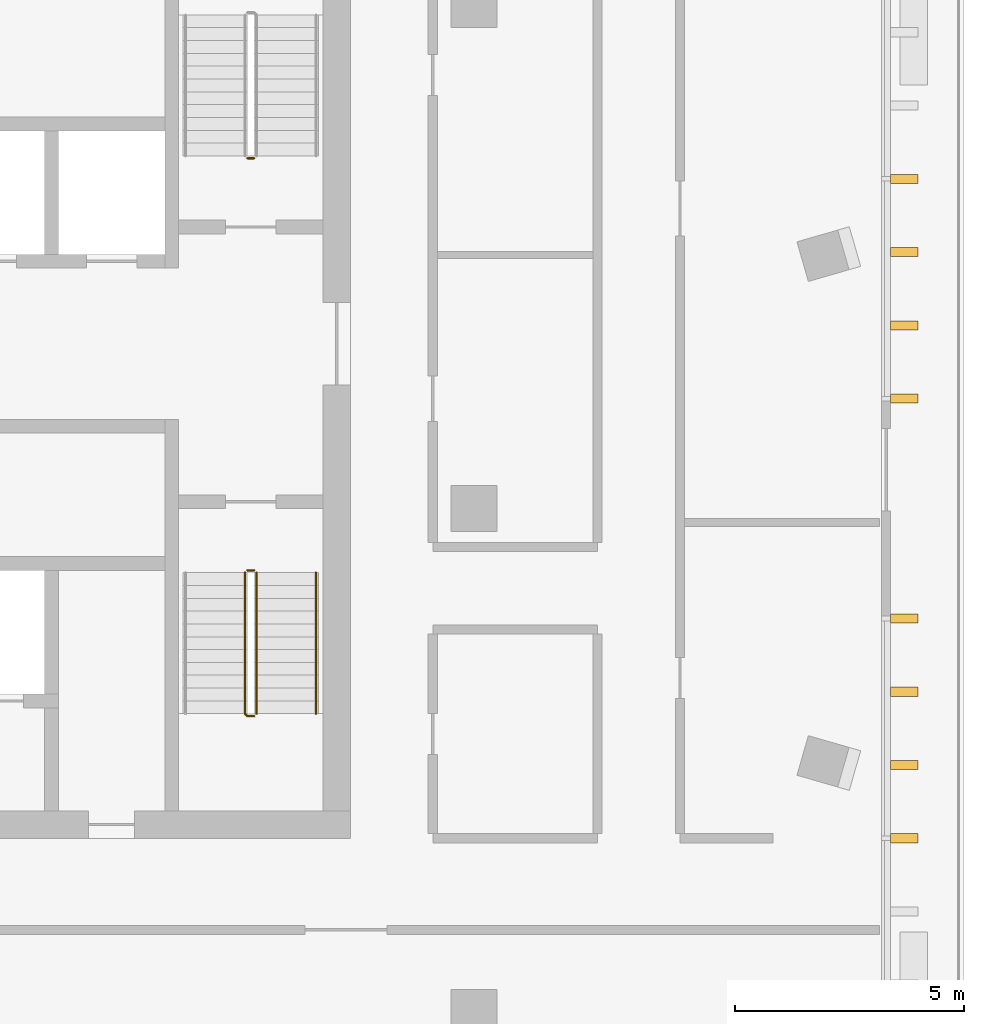
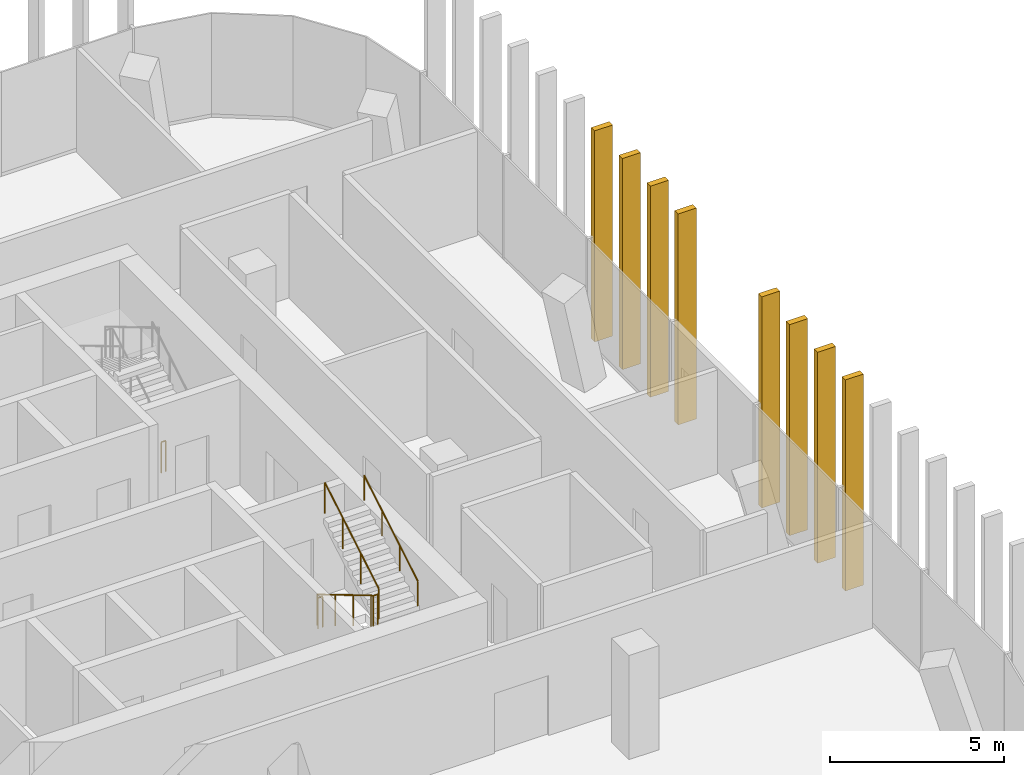
# One storey, part 14 of 15: 8 shading devices, 5 railings.
"""IFC4 building model written with IfcOpenShell, lengths in metres."""

from ifc_helpers import new_model, si_unit, direction, frame, origin, origin_2d, place, context, subcontext, project, spatial, rectangle, circle, extrude, material, type_object, element, save


model = new_model("IFC4")

# Units and contexts
model_context = context("Model", 3, precision=1e-05, world=origin(), true_north=direction((0.0, 1.0)))
body_context = subcontext(model_context, "Body", "Model", "MODEL_VIEW")
ifc_project = project(units=[si_unit("LENGTHUNIT", "METRE"), si_unit("AREAUNIT", "SQUARE_METRE"), si_unit("VOLUMEUNIT", "CUBIC_METRE"), si_unit("PLANEANGLEUNIT", "RADIAN"), si_unit("MASSUNIT", "GRAM", prefix="KILO")], contexts=[model_context])

# Site, building, storey
site_placement = place(None, origin())
site = spatial("IfcSite", under=ifc_project, at=site_placement, CompositionType="ELEMENT")
building_placement = place(site_placement, origin())
building = spatial("IfcBuilding", under=site, at=building_placement, Name="Mopane Tessera Tower", CompositionType="ELEMENT")
storey_placement = place(building_placement, frame((0.0, 0.0, 329.39990234375)))
storey = spatial("IfcBuildingStorey", under=building, at=storey_placement, Name="L72", CompositionType="ELEMENT", Elevation=329.39990234375)

# Shading devices
ifc_material_1 = material(Name="Glazed ceramic tile")
shading_device_type = type_object("IfcShadingDeviceType", Name="Ceramic tile fin 600 x 200 mm", PredefinedType="USERDEFINED", material=ifc_material_1)
for number, where, z_axis, x_axis, name in (
    (1, (26.5, -7.199951171875, 0.000244140625), (0.0, 0.0, 1.0), (0.0, 1.0, 0.0), "e:fin:L72:E:2:0"),
    (2, (26.5, -5.60009765625, 0.000244140625), (0.0, 0.0, 1.0), (0.0, 1.0, 0.0), "e:fin:L72:E:2:1"),
    (3, (26.5, -4.0, 0.000244140625), (0.0, 0.0, 1.0), (0.0, 1.0, 0.0), "e:fin:L72:E:2:2"),
    (4, (26.5, -2.39990234375, 0.000244140625), (0.0, 0.0, 1.0), (0.0, 1.0, 0.0), "e:fin:L72:E:2:3"),
    (5, (26.5, 2.39990234375, 0.000244140625), (0.0, 0.0, 1.0), (0.0, 1.0, 0.0), "e:fin:L72:E:4:0"),
    (6, (26.5, 4.0, 0.000244140625), (0.0, 0.0, 1.0), (0.0, 1.0, 0.0), "e:fin:L72:E:4:1"),
    (7, (26.5, 5.60009765625, 0.000244140625), (0.0, 0.0, 1.0), (0.0, 1.0, 0.0), "e:fin:L72:E:4:2"),
    (8, (26.5, 7.199951171875, 0.000244140625), (0.0, 0.0, 1.0), (0.0, 1.0, 0.0), "e:fin:L72:E:5:0"),
):
    element("IfcShadingDevice", number, at=place(storey_placement, frame(where, z_axis=z_axis, x_axis=x_axis)), inside=storey, type_object=shading_device_type, Name=name, ObjectType="FIN", PredefinedType="USERDEFINED", context=body_context, shape_type="SweptSolid", body=[
        extrude(rectangle(XDim=0.199951171875, YDim=0.60009765625, at=origin_2d()), origin(), (0.0, 0.0, 1.0), 7.39990234375),
    ])

# Railings
ifc_material_2 = material(Name="Powder-coated steel balustrade", Category="steel")
railing_type_1 = type_object("IfcRailingType", Name="Escape stair guard 1100 mm", PredefinedType="GUARDRAIL", material=ifc_material_2)
railing_1_placement = place(storey_placement, frame((12.10009765625, -1.39990234375, 0.166748046875)))
element("IfcRailing", 9, at=railing_1_placement, inside=storey, type_object=railing_type_1, Name="L72 ST3 stair guard 1", PredefinedType="GUARDRAIL", context=body_context, shape_type="SweptSolid", body=[
    extrude(circle(Radius=0.02392578125, at=origin_2d()), frame((0.0, 0.0, 1.076171875), z_axis=(0.0, -0.859308565015, 0.511457515432), x_axis=(1.0, 0.0, 0.0)), (0.0, 0.0, 1.0), 3.58447265625),
    extrude(circle(Radius=0.02392578125, at=origin_2d()), frame((0.0, -3.080078125, 2.9091796875), z_axis=(0.705375805398, -0.708833529934, 0.0), x_axis=(0.708833529934, 0.705375805398, 0.0)), (0.0, 0.0, 1.0), 0.070556640625),
    extrude(circle(Radius=0.02392578125, at=origin_2d()), frame((0.0498046875, -3.130126953125, 2.9091796875), z_axis=(1.0, 0.0, 0.0), x_axis=(0.0, 1.0, 0.0)), (0.0, 0.0, 1.0), 0.150146484375),
    extrude(circle(Radius=0.02099609375, at=origin_2d()), origin(), (0.0, 0.0, 1.0), 1.052001953125),
    extrude(circle(Radius=0.02099609375, at=origin_2d()), frame((0.0, -1.026611328125, 0.611083984375)), (0.0, 0.0, 1.0), 1.052001953125),
    extrude(circle(Radius=0.02099609375, at=origin_2d()), frame((0.0, -2.053466796875, 1.22216796875)), (0.0, 0.0, 1.0), 1.052001953125),
    extrude(circle(Radius=0.02099609375, at=origin_2d()), frame((0.0, -3.080078125, 1.833251953125)), (0.0, 0.0, 1.0), 1.052001953125),
    extrude(circle(Radius=0.02099609375, at=origin_2d()), frame((0.0498046875, -3.130126953125, 1.833251953125)), (0.0, 0.0, 1.0), 1.052001953125),
    extrude(circle(Radius=0.02099609375, at=origin_2d()), frame((0.199951171875, -3.130126953125, 1.833251953125)), (0.0, 0.0, 1.0), 1.052001953125),
])
railing_2_placement = place(storey_placement, frame((12.35009765625, -4.47998046875, 2.166748046875)))
element("IfcRailing", 10, at=railing_2_placement, inside=storey, type_object=railing_type_1, Name="L72 ST3 stair guard 2", PredefinedType="GUARDRAIL", context=body_context, shape_type="SweptSolid", body=[
    extrude(circle(Radius=0.02392578125, at=origin_2d()), frame((0.0, 0.0, 1.076171875), z_axis=(0.0, 0.859308565015, 0.511457515432), x_axis=(-1.0, 0.0, 0.0)), (0.0, 0.0, 1.0), 3.58447265625),
    extrude(circle(Radius=0.02099609375, at=origin_2d()), origin(), (0.0, 0.0, 1.0), 1.052001953125),
    extrude(circle(Radius=0.02099609375, at=origin_2d()), frame((0.0, 1.026611328125, 0.611083984375)), (0.0, 0.0, 1.0), 1.052001953125),
    extrude(circle(Radius=0.02099609375, at=origin_2d()), frame((0.0, 2.053466796875, 1.22216796875)), (0.0, 0.0, 1.0), 1.052001953125),
    extrude(circle(Radius=0.02099609375, at=origin_2d()), frame((0.0, 3.080078125, 1.833251953125)), (0.0, 0.0, 1.0), 1.052001953125),
])
railing_3_placement = place(storey_placement, frame((12.14990234375, -1.35009765625, 0.0)))
element("IfcRailing", 11, at=railing_3_placement, inside=storey, type_object=railing_type_1, Name="L72 ST3 stair guard 3", PredefinedType="GUARDRAIL", context=body_context, shape_type="SweptSolid", body=[
    extrude(circle(Radius=0.02392578125, at=origin_2d()), frame((0.0, 0.0, 1.076171875), z_axis=(1.0, 0.0, 0.0), x_axis=(0.0, 1.0, 0.0)), (0.0, 0.0, 1.0), 0.150146484375),
    extrude(circle(Radius=0.02099609375, at=origin_2d()), origin(), (0.0, 0.0, 1.0), 1.052001953125),
    extrude(circle(Radius=0.02099609375, at=origin_2d()), frame((0.150146484375, 0.0, 0.0)), (0.0, 0.0, 1.0), 1.052001953125),
])
railing_4_placement = place(storey_placement, frame((12.300048828125, 7.64990234375, 0.0)))
element("IfcRailing", 12, at=railing_4_placement, inside=storey, type_object=railing_type_1, Name="L72 ST4 stair guard 3", PredefinedType="GUARDRAIL", context=body_context, shape_type="SweptSolid", body=[
    extrude(circle(Radius=0.02392578125, at=origin_2d()), frame((0.0, 0.0, 1.076171875), z_axis=(-1.0, 0.0, 0.0), x_axis=(0.0, -1.0, 0.0)), (0.0, 0.0, 1.0), 0.150146484375),
    extrude(circle(Radius=0.02099609375, at=origin_2d()), origin(), (0.0, 0.0, 1.0), 1.052001953125),
    extrude(circle(Radius=0.02099609375, at=origin_2d()), frame((-0.150146484375, 0.0, 0.0)), (0.0, 0.0, 1.0), 1.052001953125),
])
ifc_material_3 = material(Name="Powder-coated steel balustrade", Category="steel")
railing_type_2 = type_object("IfcRailingType", Name="Escape stair handrail 900 mm", PredefinedType="HANDRAIL", material=ifc_material_3)
railing_5_placement = place(storey_placement, frame((13.64990234375, -4.47998046875, 2.166748046875)))
element("IfcRailing", 13, at=railing_5_placement, inside=storey, type_object=railing_type_2, Name="L72 ST3 stair handrail 2", PredefinedType="HANDRAIL", context=body_context, shape_type="SweptSolid", body=[
    extrude(circle(Radius=0.02392578125, at=origin_2d()), frame((0.0, 0.0, 0.8759765625), z_axis=(0.0, 0.859308565015, 0.511457515432), x_axis=(-1.0, 0.0, 0.0)), (0.0, 0.0, 1.0), 3.58447265625),
    extrude(circle(Radius=0.02099609375, at=origin_2d()), origin(), (0.0, 0.0, 1.0), 0.851806640625),
    extrude(circle(Radius=0.02099609375, at=origin_2d()), frame((0.0, 1.026611328125, 0.611083984375)), (0.0, 0.0, 1.0), 0.851806640625),
    extrude(circle(Radius=0.02099609375, at=origin_2d()), frame((0.0, 2.053466796875, 1.22216796875)), (0.0, 0.0, 1.0), 0.851806640625),
    extrude(circle(Radius=0.02099609375, at=origin_2d()), frame((0.0, 3.080078125, 1.833251953125)), (0.0, 0.0, 1.0), 0.851806640625),
])

save(model, "model.ifc")
